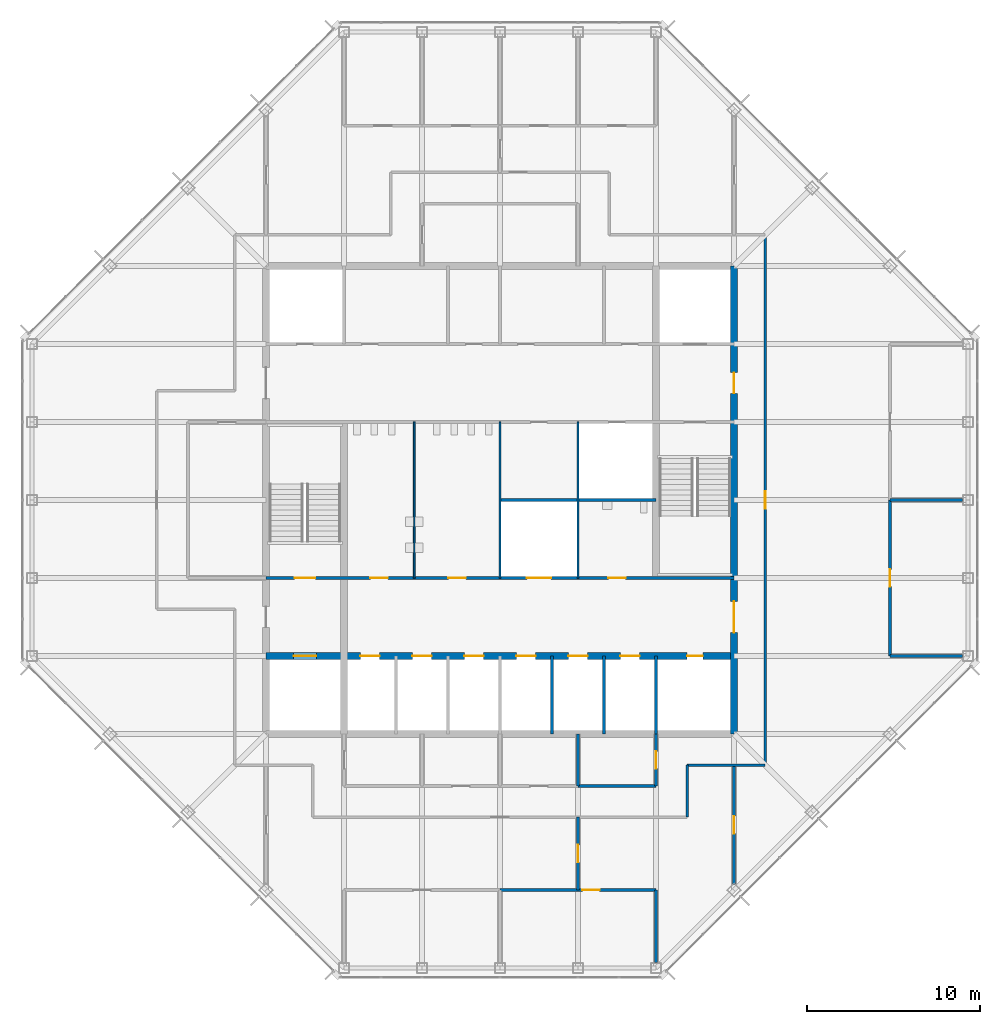
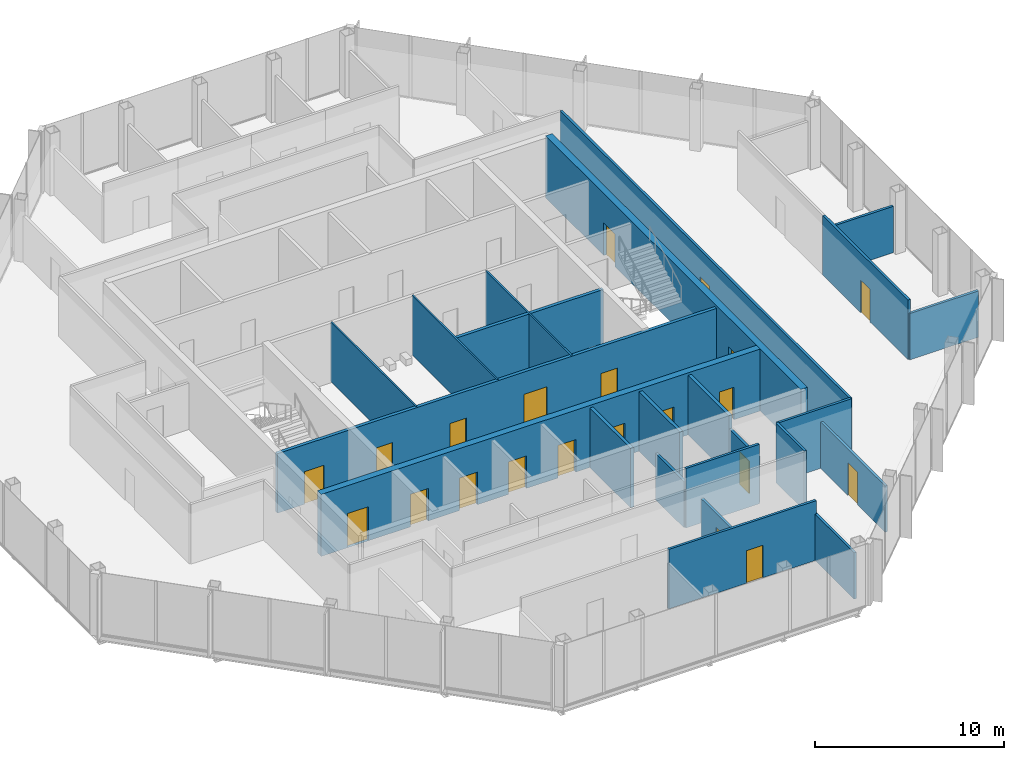
# One storey, part 10 of 14: 23 walls, 21 doors, 21 openings.
"""IFC4 building model written with IfcOpenShell, lengths in metres."""

from ifc_helpers import new_model, si_unit, direction, frame, frame_2d, origin, place, context, subcontext, project, spatial, rectangle, extrude, material, layer, layer_set, type_object, element, fill, save


model = new_model("IFC4")

# Units and contexts
model_context = context("Model", 3, precision=1e-05, world=origin(), true_north=direction((0.0, 1.0)))
body_context = subcontext(model_context, "Body", "Model", "MODEL_VIEW")
ifc_project = project(units=[si_unit("LENGTHUNIT", "METRE"), si_unit("AREAUNIT", "SQUARE_METRE"), si_unit("VOLUMEUNIT", "CUBIC_METRE"), si_unit("PLANEANGLEUNIT", "RADIAN"), si_unit("MASSUNIT", "GRAM", prefix="KILO")], contexts=[model_context])

# Site, building, storey
site_placement = place(None, origin())
site = spatial("IfcSite", under=ifc_project, at=site_placement, CompositionType="ELEMENT")
building_placement = place(site_placement, origin())
building = spatial("IfcBuilding", under=site, at=building_placement, Name="Corais Broadcast Tower", CompositionType="ELEMENT")
storey_placement = place(building_placement, frame((0.0, 0.0, 278.60009765625)))
storey = spatial("IfcBuildingStorey", under=building, at=storey_placement, Name="L65", CompositionType="ELEMENT", Elevation=278.60009765625)

# Wall
ifc_material_1 = material(Name="Concrete blockwork class A, grouted, two-hour", Category="masonry")
ifc_layer_1 = layer(ifc_material_1, 0.199951171875)
ifc_layer_set_1 = layer_set([ifc_layer_1], Name="Concrete blockwork class A, grouted, two-hour")
wall_type_1 = type_object("IfcWallType", Name="Core lobby wall 200", PredefinedType="SOLIDWALL", material=ifc_layer_set_1)
wall_1_placement = place(storey_placement, frame((36.0, 13.5, 0.0), z_axis=(0.0, 0.0, 1.0), x_axis=(0.0, 1.0, 0.0)))
element("IfcWall", 1, at=wall_1_placement, inside=storey, type_object=wall_type_1, Name="CL3 core shaft wall X36A L65", PredefinedType="SOLIDWALL", context=body_context, shape_type="SweptSolid", body=[
    extrude(rectangle(XDim=4.5, YDim=0.199951171875, at=frame_2d((2.25, 0.0))), origin(), (0.0, 0.0, 1.0), 3.83984375),
])

# Wall, openings, doors
wall_2_placement = place(storey_placement, frame((13.5, 22.5, 0.0), z_axis=(0.0, 0.0, 1.0), x_axis=(1.0, 0.0, 0.0)))
wall_2 = element("IfcWall", 2, at=wall_2_placement, inside=storey, type_object=wall_type_1, Name="CL3 core lobby wall Y225 L65", PredefinedType="SOLIDWALL", context=body_context, shape_type="SweptSolid", body=[
    extrude(rectangle(XDim=27.0, YDim=0.199951171875, at=frame_2d((13.5, 0.0))), origin(), (0.0, 0.0, 1.0), 3.83984375),
])
opening_1_placement = place(wall_2_placement, frame((1.64990234375, 0.0, 0.0)))
opening_1 = element("IfcOpeningElement", 3, at=opening_1_placement, cuts=wall_2, Name="Opening FD1", PredefinedType="OPENING", context=body_context, shape_type="SweptSolid", body=[
    extrude(rectangle(XDim=1.199951171875, YDim=2.10009765625, at=frame_2d((0.60009765625, 1.050048828125))), frame((0.0, 0.10986328125, 0.0), z_axis=(0.0, -1.0, 0.0), x_axis=(1.0, 0.0, 0.0)), (0.0, 0.0, 1.0), 0.219970703125),
])
opening_2_placement = place(wall_2_placement, frame((6.02490234375, 0.0, 0.0)))
opening_2 = element("IfcOpeningElement", 4, at=opening_2_placement, cuts=wall_2, Name="Opening WD1", PredefinedType="OPENING", context=body_context, shape_type="SweptSolid", body=[
    extrude(rectangle(XDim=1.0, YDim=2.10009765625, at=frame_2d((0.5, 1.050048828125))), frame((0.0, 0.10986328125, 0.0), z_axis=(0.0, -1.0, 0.0), x_axis=(1.0, 0.0, 0.0)), (0.0, 0.0, 1.0), 0.219970703125),
])
opening_3_placement = place(wall_2_placement, frame((10.52490234375, 0.0, 0.0)))
opening_3 = element("IfcOpeningElement", 5, at=opening_3_placement, cuts=wall_2, Name="Opening WD1", PredefinedType="OPENING", context=body_context, shape_type="SweptSolid", body=[
    extrude(rectangle(XDim=1.0, YDim=2.10009765625, at=frame_2d((0.5, 1.050048828125))), frame((0.0, 0.10986328125, 0.0), z_axis=(0.0, -1.0, 0.0), x_axis=(1.0, 0.0, 0.0)), (0.0, 0.0, 1.0), 0.219970703125),
])
opening_4_placement = place(wall_2_placement, frame((19.75, 0.0, 0.0)))
opening_4 = element("IfcOpeningElement", 6, at=opening_4_placement, cuts=wall_2, Name="Opening WD1", PredefinedType="OPENING", context=body_context, shape_type="SweptSolid", body=[
    extrude(rectangle(XDim=1.0, YDim=2.10009765625, at=frame_2d((0.5, 1.050048828125))), frame((0.0, 0.10986328125, 0.0), z_axis=(0.0, -1.0, 0.0), x_axis=(1.0, 0.0, 0.0)), (0.0, 0.0, 1.0), 0.219970703125),
])
opening_5_placement = place(wall_2_placement, frame((15.050048828125, 0.0, 0.0)))
opening_5 = element("IfcOpeningElement", 7, at=opening_5_placement, cuts=wall_2, Name="Opening LD3", PredefinedType="OPENING", context=body_context, shape_type="SweptSolid", body=[
    extrude(rectangle(XDim=1.39990234375, YDim=2.39990234375, at=frame_2d((0.699951171875, 1.199951171875))), frame((0.0, 0.10986328125, 0.0), z_axis=(0.0, -1.0, 0.0), x_axis=(1.0, 0.0, 0.0)), (0.0, 0.0, 1.0), 0.219970703125),
])
ifc_material_2 = material(Name="Steel fire door", Category="steel")
door_type_1 = type_object("IfcDoorType", Name="Fire door 1200x2100", OperationType="SINGLE_SWING_LEFT", PredefinedType="DOOR", material=ifc_material_2)
door_1_placement = place(opening_1_placement, origin())
door_1 = element("IfcDoor", 8, at=door_1_placement, inside=storey, type_object=door_type_1, Name="FD1 stair A door L65", OperationType="SINGLE_SWING_LEFT", OverallHeight=2.10009765625, OverallWidth=1.199951171875, PredefinedType="DOOR", context=body_context, shape_type="SweptSolid", body=[
    extrude(rectangle(XDim=1.199951171875, YDim=2.10009765625, at=frame_2d((0.60009765625, 1.050048828125))), frame((0.0, 0.02490234375, 0.0), z_axis=(0.0, -1.0, 0.0), x_axis=(1.0, 0.0, 0.0)), (0.0, 0.0, 1.0), 0.050048828125),
])
fill(opening_1, door_1)
ifc_material_3 = material(Name="Stainless steel lift door", Category="steel")
door_type_2 = type_object("IfcDoorType", Name="Service lift landing door 1400x2400", OperationType="SLIDING_TO_LEFT", PredefinedType="DOOR", material=ifc_material_3)
door_2_placement = place(opening_5_placement, origin())
door_2 = element("IfcDoor", 9, at=door_2_placement, inside=storey, type_object=door_type_2, Name="LD3 SL1 landing door L65", OperationType="SLIDING_TO_LEFT", OverallHeight=2.39990234375, OverallWidth=1.39990234375, PredefinedType="DOOR", context=body_context, shape_type="SweptSolid", body=[
    extrude(rectangle(XDim=1.39990234375, YDim=2.39990234375, at=frame_2d((0.699951171875, 1.199951171875))), frame((0.0, 0.02490234375, 0.0), z_axis=(0.0, -1.0, 0.0), x_axis=(1.0, 0.0, 0.0)), (0.0, 0.0, 1.0), 0.050048828125),
])
fill(opening_5, door_2)
ifc_material_4 = material(Name="Timber door", Category="wood")
door_type_3 = type_object("IfcDoorType", Name="Toilet door 1000x2100", OperationType="SINGLE_SWING_LEFT", PredefinedType="DOOR", material=ifc_material_4)
door_3_placement = place(opening_2_placement, origin())
door_3 = element("IfcDoor", 10, at=door_3_placement, inside=storey, type_object=door_type_3, Name="WD1 WC male door L65", OperationType="SINGLE_SWING_LEFT", OverallHeight=2.10009765625, OverallWidth=1.0, PredefinedType="DOOR", context=body_context, shape_type="SweptSolid", body=[
    extrude(rectangle(XDim=1.0, YDim=2.10009765625, at=frame_2d((0.5, 1.050048828125))), frame((0.0, 0.02490234375, 0.0), z_axis=(0.0, -1.0, 0.0), x_axis=(1.0, 0.0, 0.0)), (0.0, 0.0, 1.0), 0.050048828125),
])
fill(opening_2, door_3)
door_4_placement = place(opening_3_placement, origin())
door_4 = element("IfcDoor", 11, at=door_4_placement, inside=storey, type_object=door_type_3, Name="WD1 WC female door L65", OperationType="SINGLE_SWING_LEFT", OverallHeight=2.10009765625, OverallWidth=1.0, PredefinedType="DOOR", context=body_context, shape_type="SweptSolid", body=[
    extrude(rectangle(XDim=1.0, YDim=2.10009765625, at=frame_2d((0.5, 1.050048828125))), frame((0.0, 0.02490234375, 0.0), z_axis=(0.0, -1.0, 0.0), x_axis=(1.0, 0.0, 0.0)), (0.0, 0.0, 1.0), 0.050048828125),
])
fill(opening_3, door_4)
door_5_placement = place(opening_4_placement, origin())
door_5 = element("IfcDoor", 12, at=door_5_placement, inside=storey, type_object=door_type_3, Name="WD1 accessible WC door L65", OperationType="SINGLE_SWING_RIGHT", OverallHeight=2.10009765625, OverallWidth=1.0, PredefinedType="DOOR", context=body_context, shape_type="SweptSolid", body=[
    extrude(rectangle(XDim=1.0, YDim=2.10009765625, at=frame_2d((0.5, 1.050048828125))), frame((0.0, 0.02490234375, 0.0), z_axis=(0.0, -1.0, 0.0), x_axis=(1.0, 0.0, 0.0)), (0.0, 0.0, 1.0), 0.050048828125),
])
fill(opening_4, door_5)

ifc_material_5 = material(Name="Concrete C50/60", Category="concrete")
ifc_layer_2 = layer(ifc_material_5, 0.39990234375)
ifc_layer_set_2 = layer_set([ifc_layer_2], Name="Concrete C50/60")
wall_type_2 = type_object("IfcWallType", Name="Core wall 400", PredefinedType="SHEAR", material=ifc_layer_set_2)
wall_3_placement = place(storey_placement, frame((40.5, 13.5, 0.0), z_axis=(0.0, 0.0, 1.0), x_axis=(0.0, 1.0, 0.0)))
wall_3 = element("IfcWall", 13, at=wall_3_placement, inside=storey, type_object=wall_type_2, Name="CR400 core wall E L65", PredefinedType="SHEAR", context=body_context, shape_type="SweptSolid", body=[
    extrude(rectangle(XDim=27.0, YDim=0.39990234375, at=frame_2d((13.5, 0.0))), origin(), (0.0, 0.0, 1.0), 4.0),
])
opening_6_placement = place(wall_3_placement, frame((5.85009765625, 0.0, 0.0)))
opening_6 = element("IfcOpeningElement", 14, at=opening_6_placement, cuts=wall_3, Name="Opening FD2", PredefinedType="OPENING", context=body_context, shape_type="SweptSolid", body=[
    extrude(rectangle(XDim=1.800048828125, YDim=2.10009765625, at=frame_2d((0.89990234375, 1.050048828125))), frame((0.0, 0.2099609375, 0.0), z_axis=(0.0, -1.0, 0.0), x_axis=(1.0, 0.0, 0.0)), (0.0, 0.0, 1.0), 0.419921875),
])
opening_7_placement = place(wall_3_placement, frame((19.64990234375, 0.0, 0.0)))
opening_7 = element("IfcOpeningElement", 15, at=opening_7_placement, cuts=wall_3, Name="Opening FD1", PredefinedType="OPENING", context=body_context, shape_type="SweptSolid", body=[
    extrude(rectangle(XDim=1.199951171875, YDim=2.10009765625, at=frame_2d((0.60009765625, 1.050048828125))), frame((0.0, 0.2099609375, 0.0), z_axis=(0.0, -1.0, 0.0), x_axis=(1.0, 0.0, 0.0)), (0.0, 0.0, 1.0), 0.419921875),
])
door_6_placement = place(opening_7_placement, origin())
door_6 = element("IfcDoor", 16, at=door_6_placement, inside=storey, type_object=door_type_1, Name="FD1 fire lobby B door L65", OperationType="SINGLE_SWING_RIGHT", OverallHeight=2.10009765625, OverallWidth=1.199951171875, PredefinedType="DOOR", context=body_context, shape_type="SweptSolid", body=[
    extrude(rectangle(XDim=1.199951171875, YDim=2.10009765625, at=frame_2d((0.60009765625, 1.050048828125))), frame((0.0, 0.02490234375, 0.0), z_axis=(0.0, -1.0, 0.0), x_axis=(1.0, 0.0, 0.0)), (0.0, 0.0, 1.0), 0.050048828125),
])
fill(opening_7, door_6)
ifc_material_6 = material(Name="Steel fire door", Category="steel")
door_type_4 = type_object("IfcDoorType", Name="Fire door pair 1800x2100", OperationType="DOUBLE_DOOR_SINGLE_SWING", PredefinedType="DOOR", material=ifc_material_6)
door_7_placement = place(opening_6_placement, origin())
door_7 = element("IfcDoor", 17, at=door_7_placement, inside=storey, type_object=door_type_4, Name="FD2 lift lobby door L65", OperationType="SINGLE_SWING_LEFT", OverallHeight=2.10009765625, OverallWidth=1.800048828125, PredefinedType="DOOR", context=body_context, shape_type="SweptSolid", body=[
    extrude(rectangle(XDim=1.800048828125, YDim=2.10009765625, at=frame_2d((0.89990234375, 1.050048828125))), frame((0.0, 0.02490234375, 0.0), z_axis=(0.0, -1.0, 0.0), x_axis=(1.0, 0.0, 0.0)), (0.0, 0.0, 1.0), 0.050048828125),
])
fill(opening_6, door_7)

wall_4_placement = place(storey_placement, frame((13.5, 18.0, 0.0), z_axis=(0.0, 0.0, 1.0), x_axis=(1.0, 0.0, 0.0)))
wall_4 = element("IfcWall", 18, at=wall_4_placement, inside=storey, type_object=wall_type_2, Name="CR400 core wall Y18 L65", PredefinedType="SHEAR", context=body_context, shape_type="SweptSolid", body=[
    extrude(rectangle(XDim=27.0, YDim=0.39990234375, at=frame_2d((13.5, 0.0))), origin(), (0.0, 0.0, 1.0), 4.0),
])
opening_8_placement = place(wall_4_placement, frame((24.300048828125, 0.0, 0.0)))
opening_8 = element("IfcOpeningElement", 19, at=opening_8_placement, cuts=wall_4, Name="Opening RD1", PredefinedType="OPENING", context=body_context, shape_type="SweptSolid", body=[
    extrude(rectangle(XDim=0.89990234375, YDim=2.10009765625, at=frame_2d((0.449951171875, 1.050048828125))), frame((0.0, 0.2099609375, 0.0), z_axis=(0.0, -1.0, 0.0), x_axis=(1.0, 0.0, 0.0)), (0.0, 0.0, 1.0), 0.419921875),
])
opening_9_placement = place(wall_4_placement, frame((5.449951171875, 0.0, 0.0)))
opening_9 = element("IfcOpeningElement", 20, at=opening_9_placement, cuts=wall_4, Name="Opening LD1", PredefinedType="OPENING", context=body_context, shape_type="SweptSolid", body=[
    extrude(rectangle(XDim=1.10009765625, YDim=2.10009765625, at=frame_2d((0.550048828125, 1.050048828125))), frame((0.0, 0.2099609375, 0.0), z_axis=(0.0, -1.0, 0.0), x_axis=(1.0, 0.0, 0.0)), (0.0, 0.0, 1.0), 0.419921875),
])
opening_10_placement = place(wall_4_placement, frame((8.449951171875, 0.0, 0.0)))
opening_10 = element("IfcOpeningElement", 21, at=opening_10_placement, cuts=wall_4, Name="Opening LD1", PredefinedType="OPENING", context=body_context, shape_type="SweptSolid", body=[
    extrude(rectangle(XDim=1.10009765625, YDim=2.10009765625, at=frame_2d((0.550048828125, 1.050048828125))), frame((0.0, 0.2099609375, 0.0), z_axis=(0.0, -1.0, 0.0), x_axis=(1.0, 0.0, 0.0)), (0.0, 0.0, 1.0), 0.419921875),
])
opening_11_placement = place(wall_4_placement, frame((11.449951171875, 0.0, 0.0)))
opening_11 = element("IfcOpeningElement", 22, at=opening_11_placement, cuts=wall_4, Name="Opening LD1", PredefinedType="OPENING", context=body_context, shape_type="SweptSolid", body=[
    extrude(rectangle(XDim=1.10009765625, YDim=2.10009765625, at=frame_2d((0.550048828125, 1.050048828125))), frame((0.0, 0.2099609375, 0.0), z_axis=(0.0, -1.0, 0.0), x_axis=(1.0, 0.0, 0.0)), (0.0, 0.0, 1.0), 0.419921875),
])
opening_12_placement = place(wall_4_placement, frame((14.449951171875, 0.0, 0.0)))
opening_12 = element("IfcOpeningElement", 23, at=opening_12_placement, cuts=wall_4, Name="Opening LD1", PredefinedType="OPENING", context=body_context, shape_type="SweptSolid", body=[
    extrude(rectangle(XDim=1.10009765625, YDim=2.10009765625, at=frame_2d((0.550048828125, 1.050048828125))), frame((0.0, 0.2099609375, 0.0), z_axis=(0.0, -1.0, 0.0), x_axis=(1.0, 0.0, 0.0)), (0.0, 0.0, 1.0), 0.419921875),
])
opening_13_placement = place(wall_4_placement, frame((17.449951171875, 0.0, 0.0)))
opening_13 = element("IfcOpeningElement", 24, at=opening_13_placement, cuts=wall_4, Name="Opening LD1", PredefinedType="OPENING", context=body_context, shape_type="SweptSolid", body=[
    extrude(rectangle(XDim=1.10009765625, YDim=2.10009765625, at=frame_2d((0.550048828125, 1.050048828125))), frame((0.0, 0.2099609375, 0.0), z_axis=(0.0, -1.0, 0.0), x_axis=(1.0, 0.0, 0.0)), (0.0, 0.0, 1.0), 0.419921875),
])
opening_14_placement = place(wall_4_placement, frame((20.449951171875, 0.0, 0.0)))
opening_14 = element("IfcOpeningElement", 25, at=opening_14_placement, cuts=wall_4, Name="Opening LD1", PredefinedType="OPENING", context=body_context, shape_type="SweptSolid", body=[
    extrude(rectangle(XDim=1.10009765625, YDim=2.10009765625, at=frame_2d((0.550048828125, 1.050048828125))), frame((0.0, 0.2099609375, 0.0), z_axis=(0.0, -1.0, 0.0), x_axis=(1.0, 0.0, 0.0)), (0.0, 0.0, 1.0), 0.419921875),
])
opening_15_placement = place(wall_4_placement, frame((1.60009765625, 0.0, 0.0)))
opening_15 = element("IfcOpeningElement", 26, at=opening_15_placement, cuts=wall_4, Name="Opening LD2", PredefinedType="OPENING", context=body_context, shape_type="SweptSolid", body=[
    extrude(rectangle(XDim=1.300048828125, YDim=2.199951171875, at=frame_2d((0.64990234375, 1.10009765625))), frame((0.0, 0.2099609375, 0.0), z_axis=(0.0, -1.0, 0.0), x_axis=(1.0, 0.0, 0.0)), (0.0, 0.0, 1.0), 0.419921875),
])
ifc_material_7 = material(Name="Stainless steel lift door", Category="steel")
door_type_5 = type_object("IfcDoorType", Name="Lift landing door 1100x2100", OperationType="SLIDING_TO_LEFT", PredefinedType="DOOR", material=ifc_material_7)
door_8_placement = place(opening_9_placement, origin())
door_8 = element("IfcDoor", 27, at=door_8_placement, inside=storey, type_object=door_type_5, Name="LD1 PH1 landing door L65", OperationType="SLIDING_TO_LEFT", OverallHeight=2.10009765625, OverallWidth=1.10009765625, PredefinedType="DOOR", context=body_context, shape_type="SweptSolid", body=[
    extrude(rectangle(XDim=1.10009765625, YDim=2.10009765625, at=frame_2d((0.550048828125, 1.050048828125))), frame((0.0, 0.02490234375, 0.0), z_axis=(0.0, -1.0, 0.0), x_axis=(1.0, 0.0, 0.0)), (0.0, 0.0, 1.0), 0.050048828125),
])
fill(opening_9, door_8)
door_9_placement = place(opening_10_placement, origin())
door_9 = element("IfcDoor", 28, at=door_9_placement, inside=storey, type_object=door_type_5, Name="LD1 PH2 landing door L65", OperationType="SLIDING_TO_LEFT", OverallHeight=2.10009765625, OverallWidth=1.10009765625, PredefinedType="DOOR", context=body_context, shape_type="SweptSolid", body=[
    extrude(rectangle(XDim=1.10009765625, YDim=2.10009765625, at=frame_2d((0.550048828125, 1.050048828125))), frame((0.0, 0.02490234375, 0.0), z_axis=(0.0, -1.0, 0.0), x_axis=(1.0, 0.0, 0.0)), (0.0, 0.0, 1.0), 0.050048828125),
])
fill(opening_10, door_9)
door_10_placement = place(opening_11_placement, origin())
door_10 = element("IfcDoor", 29, at=door_10_placement, inside=storey, type_object=door_type_5, Name="LD1 PH3 landing door L65", OperationType="SLIDING_TO_LEFT", OverallHeight=2.10009765625, OverallWidth=1.10009765625, PredefinedType="DOOR", context=body_context, shape_type="SweptSolid", body=[
    extrude(rectangle(XDim=1.10009765625, YDim=2.10009765625, at=frame_2d((0.550048828125, 1.050048828125))), frame((0.0, 0.02490234375, 0.0), z_axis=(0.0, -1.0, 0.0), x_axis=(1.0, 0.0, 0.0)), (0.0, 0.0, 1.0), 0.050048828125),
])
fill(opening_11, door_10)
door_11_placement = place(opening_12_placement, origin())
door_11 = element("IfcDoor", 30, at=door_11_placement, inside=storey, type_object=door_type_5, Name="LD1 PH4 landing door L65", OperationType="SLIDING_TO_LEFT", OverallHeight=2.10009765625, OverallWidth=1.10009765625, PredefinedType="DOOR", context=body_context, shape_type="SweptSolid", body=[
    extrude(rectangle(XDim=1.10009765625, YDim=2.10009765625, at=frame_2d((0.550048828125, 1.050048828125))), frame((0.0, 0.02490234375, 0.0), z_axis=(0.0, -1.0, 0.0), x_axis=(1.0, 0.0, 0.0)), (0.0, 0.0, 1.0), 0.050048828125),
])
fill(opening_12, door_11)
door_12_placement = place(opening_13_placement, origin())
door_12 = element("IfcDoor", 31, at=door_12_placement, inside=storey, type_object=door_type_5, Name="LD1 PH5 landing door L65", OperationType="SLIDING_TO_LEFT", OverallHeight=2.10009765625, OverallWidth=1.10009765625, PredefinedType="DOOR", context=body_context, shape_type="SweptSolid", body=[
    extrude(rectangle(XDim=1.10009765625, YDim=2.10009765625, at=frame_2d((0.550048828125, 1.050048828125))), frame((0.0, 0.02490234375, 0.0), z_axis=(0.0, -1.0, 0.0), x_axis=(1.0, 0.0, 0.0)), (0.0, 0.0, 1.0), 0.050048828125),
])
fill(opening_13, door_12)
door_13_placement = place(opening_14_placement, origin())
door_13 = element("IfcDoor", 32, at=door_13_placement, inside=storey, type_object=door_type_5, Name="LD1 PH6 landing door L65", OperationType="SLIDING_TO_LEFT", OverallHeight=2.10009765625, OverallWidth=1.10009765625, PredefinedType="DOOR", context=body_context, shape_type="SweptSolid", body=[
    extrude(rectangle(XDim=1.10009765625, YDim=2.10009765625, at=frame_2d((0.550048828125, 1.050048828125))), frame((0.0, 0.02490234375, 0.0), z_axis=(0.0, -1.0, 0.0), x_axis=(1.0, 0.0, 0.0)), (0.0, 0.0, 1.0), 0.050048828125),
])
fill(opening_14, door_13)
ifc_material_8 = material(Name="Stainless steel lift door", Category="steel")
door_type_6 = type_object("IfcDoorType", Name="Lift landing door 1300x2200", OperationType="SLIDING_TO_LEFT", PredefinedType="DOOR", material=ifc_material_8)
door_14_placement = place(opening_15_placement, origin())
door_14 = element("IfcDoor", 33, at=door_14_placement, inside=storey, type_object=door_type_6, Name="LD2 FL1 landing door L65", OperationType="SLIDING_TO_LEFT", OverallHeight=2.199951171875, OverallWidth=1.300048828125, PredefinedType="DOOR", context=body_context, shape_type="SweptSolid", body=[
    extrude(rectangle(XDim=1.300048828125, YDim=2.199951171875, at=frame_2d((0.64990234375, 1.10009765625))), frame((0.0, 0.02490234375, 0.0), z_axis=(0.0, -1.0, 0.0), x_axis=(1.0, 0.0, 0.0)), (0.0, 0.0, 1.0), 0.050048828125),
])
fill(opening_15, door_14)
ifc_material_9 = material(Name="Steel fire door", Category="steel")
door_type_7 = type_object("IfcDoorType", Name="Riser door 900x2100", OperationType="SINGLE_SWING_LEFT", PredefinedType="DOOR", material=ifc_material_9)
door_15_placement = place(opening_8_placement, origin())
door_15 = element("IfcDoor", 34, at=door_15_placement, inside=storey, type_object=door_type_7, Name="RD1 riser door L65", OperationType="SINGLE_SWING_RIGHT", OverallHeight=2.10009765625, OverallWidth=0.89990234375, PredefinedType="DOOR", context=body_context, shape_type="SweptSolid", body=[
    extrude(rectangle(XDim=0.89990234375, YDim=2.10009765625, at=frame_2d((0.449951171875, 1.050048828125))), frame((0.0, 0.02490234375, 0.0), z_axis=(0.0, -1.0, 0.0), x_axis=(1.0, 0.0, 0.0)), (0.0, 0.0, 1.0), 0.050048828125),
])
fill(opening_8, door_15)

# Wall, opening, door
ifc_material_10 = material(Name="Gypsum board on steel studs", Category="steel")
ifc_layer_3 = layer(ifc_material_10, 0.14990234375)
ifc_layer_set_3 = layer_set([ifc_layer_3], Name="Gypsum board on steel studs")
wall_type_3 = type_object("IfcWallType", Name="Partition 150", PredefinedType="PARTITIONING", material=ifc_layer_set_3)
wall_5_placement = place(storey_placement, frame((42.300048828125, 11.699951171875, 0.0), z_axis=(0.0, 0.0, 1.0), x_axis=(0.0, 1.0, 0.0)))
wall_5 = element("IfcWall", 35, at=wall_5_placement, inside=storey, type_object=wall_type_3, Name="IW3 corridor wall L65", PredefinedType="PARTITIONING", context=body_context, shape_type="SweptSolid", body=[
    extrude(rectangle(XDim=30.60009765625, YDim=0.14990234375, at=frame_2d((15.300048828125, 0.0))), origin(), (0.0, 0.0, 1.0), 3.83984375),
])
opening_16_placement = place(wall_5_placement, frame((14.800048828125, 0.0, 0.0)))
opening_16 = element("IfcOpeningElement", 36, at=opening_16_placement, cuts=wall_5, Name="Opening D1", PredefinedType="OPENING", context=body_context, shape_type="SweptSolid", body=[
    extrude(rectangle(XDim=1.0, YDim=2.10009765625, at=frame_2d((0.5, 1.050048828125))), frame((0.0, 0.0849609375, 0.0), z_axis=(0.0, -1.0, 0.0), x_axis=(1.0, 0.0, 0.0)), (0.0, 0.0, 1.0), 0.169921875),
])
ifc_material_11 = material(Name="Timber door", Category="wood")
door_type_8 = type_object("IfcDoorType", Name="Single door 1000x2100", OperationType="SINGLE_SWING_LEFT", PredefinedType="DOOR", material=ifc_material_11)
door_16_placement = place(opening_16_placement, origin())
door_16 = element("IfcDoor", 37, at=door_16_placement, inside=storey, type_object=door_type_8, Name="D1 workplace door L65", OperationType="SINGLE_SWING_LEFT", OverallHeight=2.10009765625, OverallWidth=1.0, PredefinedType="DOOR", context=body_context, shape_type="SweptSolid", body=[
    extrude(rectangle(XDim=1.0, YDim=2.10009765625, at=frame_2d((0.5, 1.050048828125))), frame((0.0, 0.02490234375, 0.0), z_axis=(0.0, -1.0, 0.0), x_axis=(1.0, 0.0, 0.0)), (0.0, 0.0, 1.0), 0.050048828125),
])
fill(opening_16, door_16)

# Walls
wall_6_placement = place(storey_placement, frame((37.800048828125, 11.699951171875, 0.0), z_axis=(0.0, 0.0, 1.0), x_axis=(1.0, 0.0, 0.0)))
element("IfcWall", 38, at=wall_6_placement, inside=storey, type_object=wall_type_3, Name="IW3 corridor wall L65", PredefinedType="PARTITIONING", context=body_context, shape_type="SweptSolid", body=[
    extrude(rectangle(XDim=4.5, YDim=0.14990234375, at=frame_2d((2.25, 0.0))), origin(), (0.0, 0.0, 1.0), 3.83984375),
])
wall_7_placement = place(storey_placement, frame((37.800048828125, 8.699951171875, 0.0), z_axis=(0.0, 0.0, 1.0), x_axis=(0.0, 1.0, 0.0)))
element("IfcWall", 39, at=wall_7_placement, inside=storey, type_object=wall_type_3, Name="IW3 corridor wall L65", PredefinedType="PARTITIONING", context=body_context, shape_type="SweptSolid", body=[
    extrude(rectangle(XDim=3.0, YDim=0.14990234375, at=frame_2d((1.5, 0.0))), origin(), (0.0, 0.0, 1.0), 3.83984375),
])
wall_8_placement = place(storey_placement, frame((36.0, 0.31005859375, 0.0), z_axis=(0.0, 0.0, 1.0), x_axis=(0.0, 1.0, 0.0)))
element("IfcWall", 40, at=wall_8_placement, inside=storey, type_object=wall_type_3, Name="IW3 partition L65", PredefinedType="PARTITIONING", context=body_context, shape_type="SweptSolid", body=[
    extrude(rectangle(XDim=4.18994140625, YDim=0.14990234375, at=frame_2d((2.094970703125, 0.0))), origin(), (0.0, 0.0, 1.0), 2.989013671875),
])

# Wall, opening, door
wall_9_placement = place(storey_placement, frame((36.0, 4.5, 0.0), z_axis=(0.0, 0.0, 1.0), x_axis=(-1.0, 0.0, 0.0)))
wall_9 = element("IfcWall", 41, at=wall_9_placement, inside=storey, type_object=wall_type_3, Name="IW3 partition L65", PredefinedType="PARTITIONING", context=body_context, shape_type="SweptSolid", body=[
    extrude(rectangle(XDim=9.0, YDim=0.14990234375, at=frame_2d((4.5, 0.0))), origin(), (0.0, 0.0, 1.0), 3.83984375),
])
opening_17_placement = place(wall_9_placement, frame((3.25, 0.0, 0.0)))
opening_17 = element("IfcOpeningElement", 42, at=opening_17_placement, cuts=wall_9, Name="Opening D1", PredefinedType="OPENING", context=body_context, shape_type="SweptSolid", body=[
    extrude(rectangle(XDim=1.0, YDim=2.10009765625, at=frame_2d((0.5, 1.050048828125))), frame((0.0, 0.0849609375, 0.0), z_axis=(0.0, -1.0, 0.0), x_axis=(1.0, 0.0, 0.0)), (0.0, 0.0, 1.0), 0.169921875),
])
door_17_placement = place(opening_17_placement, origin())
door_17 = element("IfcDoor", 43, at=door_17_placement, inside=storey, type_object=door_type_8, Name="D1 Director office door", OperationType="SINGLE_SWING_LEFT", OverallHeight=2.10009765625, OverallWidth=1.0, PredefinedType="DOOR", context=body_context, shape_type="SweptSolid", body=[
    extrude(rectangle(XDim=1.0, YDim=2.10009765625, at=frame_2d((0.5, 1.050048828125))), frame((0.0, 0.02490234375, 0.0), z_axis=(0.0, -1.0, 0.0), x_axis=(1.0, 0.0, 0.0)), (0.0, 0.0, 1.0), 0.050048828125),
])
fill(opening_17, door_17)

# Walls
for number, where, z_axis, x_axis, name in (
    (44, (49.5, 18.0, 0.0), (0.0, 0.0, 1.0), (1.0, 0.0, 0.0), "IW3 partition L65"),
    (45, (53.68994140625, 27.0, 0.0), (0.0, 0.0, 1.0), (-1.0, 0.0, 0.0), "IW3 partition L65"),
):
    element("IfcWall", number, at=place(storey_placement, frame(where, z_axis=z_axis, x_axis=x_axis)), inside=storey, type_object=wall_type_3, Name=name, PredefinedType="PARTITIONING", context=body_context, shape_type="SweptSolid", body=[
        extrude(rectangle(XDim=4.18994140625, YDim=0.14990234375, at=frame_2d((2.094970703125, 0.0))), origin(), (0.0, 0.0, 1.0), 2.989013671875),
    ])

# Wall, opening, door
wall_10_placement = place(storey_placement, frame((49.5, 27.0, 0.0), z_axis=(0.0, 0.0, 1.0), x_axis=(0.0, -1.0, 0.0)))
wall_10 = element("IfcWall", 46, at=wall_10_placement, inside=storey, type_object=wall_type_3, Name="IW3 partition L65", PredefinedType="PARTITIONING", context=body_context, shape_type="SweptSolid", body=[
    extrude(rectangle(XDim=9.0, YDim=0.14990234375, at=frame_2d((4.5, 0.0))), origin(), (0.0, 0.0, 1.0), 3.83984375),
])
opening_18_placement = place(wall_10_placement, frame((4.0, 0.0, 0.0)))
opening_18 = element("IfcOpeningElement", 47, at=opening_18_placement, cuts=wall_10, Name="Opening D1", PredefinedType="OPENING", context=body_context, shape_type="SweptSolid", body=[
    extrude(rectangle(XDim=1.0, YDim=2.10009765625, at=frame_2d((0.5, 1.050048828125))), frame((0.0, 0.0849609375, 0.0), z_axis=(0.0, -1.0, 0.0), x_axis=(1.0, 0.0, 0.0)), (0.0, 0.0, 1.0), 0.169921875),
])
door_18_placement = place(opening_18_placement, origin())
door_18 = element("IfcDoor", 48, at=door_18_placement, inside=storey, type_object=door_type_8, Name="D1 Director office door", OperationType="SINGLE_SWING_LEFT", OverallHeight=2.10009765625, OverallWidth=1.0, PredefinedType="DOOR", context=body_context, shape_type="SweptSolid", body=[
    extrude(rectangle(XDim=1.0, YDim=2.10009765625, at=frame_2d((0.5, 1.050048828125))), frame((0.0, 0.02490234375, 0.0), z_axis=(0.0, -1.0, 0.0), x_axis=(1.0, 0.0, 0.0)), (0.0, 0.0, 1.0), 0.050048828125),
])
fill(opening_18, door_18)

# Walls
wall_11_placement = place(storey_placement, frame((31.5, 10.5, 0.0), z_axis=(0.0, 0.0, 1.0), x_axis=(0.0, 1.0, 0.0)))
element("IfcWall", 49, at=wall_11_placement, inside=storey, type_object=wall_type_3, Name="IW3 partition L65", PredefinedType="PARTITIONING", context=body_context, shape_type="SweptSolid", body=[
    extrude(rectangle(XDim=3.0, YDim=0.14990234375, at=frame_2d((1.5, 0.0))), origin(), (0.0, 0.0, 1.0), 2.989013671875),
])
wall_12_placement = place(storey_placement, frame((31.5, 10.5, 0.0), z_axis=(0.0, 0.0, 1.0), x_axis=(1.0, 0.0, 0.0)))
element("IfcWall", 50, at=wall_12_placement, inside=storey, type_object=wall_type_3, Name="IW3 partition L65", PredefinedType="PARTITIONING", context=body_context, shape_type="SweptSolid", body=[
    extrude(rectangle(XDim=4.5, YDim=0.14990234375, at=frame_2d((2.25, 0.0))), origin(), (0.0, 0.0, 1.0), 3.83984375),
])

# Wall, opening, door
wall_13_placement = place(storey_placement, frame((36.0, 10.5, 0.0), z_axis=(0.0, 0.0, 1.0), x_axis=(0.0, 1.0, 0.0)))
wall_13 = element("IfcWall", 51, at=wall_13_placement, inside=storey, type_object=wall_type_3, Name="IW3 partition L65", PredefinedType="PARTITIONING", context=body_context, shape_type="SweptSolid", body=[
    extrude(rectangle(XDim=3.0, YDim=0.14990234375, at=frame_2d((1.5, 0.0))), origin(), (0.0, 0.0, 1.0), 2.989013671875),
])
opening_19_placement = place(wall_13_placement, frame((1.0, 0.0, 0.0)))
opening_19 = element("IfcOpeningElement", 52, at=opening_19_placement, cuts=wall_13, Name="Opening D1", PredefinedType="OPENING", context=body_context, shape_type="SweptSolid", body=[
    extrude(rectangle(XDim=1.0, YDim=2.10009765625, at=frame_2d((0.5, 1.050048828125))), frame((0.0, 0.0849609375, 0.0), z_axis=(0.0, -1.0, 0.0), x_axis=(1.0, 0.0, 0.0)), (0.0, 0.0, 1.0), 0.169921875),
])
door_19_placement = place(opening_19_placement, origin())
door_19 = element("IfcDoor", 53, at=door_19_placement, inside=storey, type_object=door_type_8, Name="D1 Quiet room door", OperationType="SINGLE_SWING_LEFT", OverallHeight=2.10009765625, OverallWidth=1.0, PredefinedType="DOOR", context=body_context, shape_type="SweptSolid", body=[
    extrude(rectangle(XDim=1.0, YDim=2.10009765625, at=frame_2d((0.5, 1.050048828125))), frame((0.0, 0.02490234375, 0.0), z_axis=(0.0, -1.0, 0.0), x_axis=(1.0, 0.0, 0.0)), (0.0, 0.0, 1.0), 0.050048828125),
])
fill(opening_19, door_19)

wall_14_placement = place(storey_placement, frame((40.5, 4.820068359375, 0.0), z_axis=(0.0, 0.0, 1.0), x_axis=(0.0, 1.0, 0.0)))
wall_14 = element("IfcWall", 54, at=wall_14_placement, inside=storey, type_object=wall_type_3, Name="IW3 partition L65", PredefinedType="PARTITIONING", context=body_context, shape_type="SweptSolid", body=[
    extrude(rectangle(XDim=6.8798828125, YDim=0.14990234375, at=frame_2d((3.43994140625, 0.0))), origin(), (0.0, 0.0, 1.0), 2.989013671875),
])
opening_20_placement = place(wall_14_placement, frame((2.93994140625, 0.0, 0.0)))
opening_20 = element("IfcOpeningElement", 55, at=opening_20_placement, cuts=wall_14, Name="Opening D1", PredefinedType="OPENING", context=body_context, shape_type="SweptSolid", body=[
    extrude(rectangle(XDim=1.0, YDim=2.10009765625, at=frame_2d((0.5, 1.050048828125))), frame((0.0, 0.0849609375, 0.0), z_axis=(0.0, -1.0, 0.0), x_axis=(1.0, 0.0, 0.0)), (0.0, 0.0, 1.0), 0.169921875),
])
door_20_placement = place(opening_20_placement, origin())
door_20 = element("IfcDoor", 56, at=door_20_placement, inside=storey, type_object=door_type_8, Name="D1 team room door L65", OperationType="SINGLE_SWING_LEFT", OverallHeight=2.10009765625, OverallWidth=1.0, PredefinedType="DOOR", context=body_context, shape_type="SweptSolid", body=[
    extrude(rectangle(XDim=1.0, YDim=2.10009765625, at=frame_2d((0.5, 1.050048828125))), frame((0.0, 0.02490234375, 0.0), z_axis=(0.0, -1.0, 0.0), x_axis=(1.0, 0.0, 0.0)), (0.0, 0.0, 1.0), 0.050048828125),
])
fill(opening_20, door_20)

wall_15_placement = place(storey_placement, frame((31.5, 8.699951171875, 0.0), z_axis=(0.0, 0.0, 1.0), x_axis=(0.0, -1.0, 0.0)))
wall_15 = element("IfcWall", 57, at=wall_15_placement, inside=storey, type_object=wall_type_3, Name="IW3 partition L65", PredefinedType="PARTITIONING", context=body_context, shape_type="SweptSolid", body=[
    extrude(rectangle(XDim=4.199951171875, YDim=0.14990234375, at=frame_2d((2.10009765625, 0.0))), origin(), (0.0, 0.0, 1.0), 2.989013671875),
])
opening_21_placement = place(wall_15_placement, frame((1.60009765625, 0.0, 0.0)))
opening_21 = element("IfcOpeningElement", 58, at=opening_21_placement, cuts=wall_15, Name="Opening D1", PredefinedType="OPENING", context=body_context, shape_type="SweptSolid", body=[
    extrude(rectangle(XDim=1.0, YDim=2.10009765625, at=frame_2d((0.5, 1.050048828125))), frame((0.0, 0.0849609375, 0.0), z_axis=(0.0, -1.0, 0.0), x_axis=(1.0, 0.0, 0.0)), (0.0, 0.0, 1.0), 0.169921875),
])
door_21_placement = place(opening_21_placement, origin())
door_21 = element("IfcDoor", 59, at=door_21_placement, inside=storey, type_object=door_type_8, Name="D1 team room door L65", OperationType="SINGLE_SWING_LEFT", OverallHeight=2.10009765625, OverallWidth=1.0, PredefinedType="DOOR", context=body_context, shape_type="SweptSolid", body=[
    extrude(rectangle(XDim=1.0, YDim=2.10009765625, at=frame_2d((0.5, 1.050048828125))), frame((0.0, 0.02490234375, 0.0), z_axis=(0.0, -1.0, 0.0), x_axis=(1.0, 0.0, 0.0)), (0.0, 0.0, 1.0), 0.050048828125),
])
fill(opening_21, door_21)

# Walls
ifc_material_12 = material(Name="Concrete blockwork class A, grouted, two-hour", Category="masonry")
ifc_layer_4 = layer(ifc_material_12, 0.199951171875)
ifc_layer_set_4 = layer_set([ifc_layer_4], Name="Concrete blockwork class A, grouted, two-hour")
wall_type_4 = type_object("IfcWallType", Name="Shaft wall 200", PredefinedType="PARTITIONING", material=ifc_layer_set_4)
for number, where, z_axis, x_axis, name in (
    (60, (30.0, 13.5, 0.0), (0.0, 0.0, 1.0), (0.0, 1.0, 0.0), "IW1 shaft wall L65"),
    (61, (33.0, 13.5, 0.0), (0.0, 0.0, 1.0), (0.0, 1.0, 0.0), "IW1 shaft wall L65"),
):
    element("IfcWall", number, at=place(storey_placement, frame(where, z_axis=z_axis, x_axis=x_axis)), inside=storey, type_object=wall_type_4, Name=name, PredefinedType="PARTITIONING", context=body_context, shape_type="SweptSolid", body=[
        extrude(rectangle(XDim=4.5, YDim=0.199951171875, at=frame_2d((2.25, 0.0))), origin(), (0.0, 0.0, 1.0), 3.83984375),
    ])
wall_16_placement = place(storey_placement, frame((27.0, 27.0, 0.0), z_axis=(0.0, 0.0, 1.0), x_axis=(1.0, 0.0, 0.0)))
element("IfcWall", 62, at=wall_16_placement, inside=storey, type_object=wall_type_4, Name="IW1 shaft wall L65", PredefinedType="PARTITIONING", context=body_context, shape_type="SweptSolid", body=[
    extrude(rectangle(XDim=9.0, YDim=0.199951171875, at=frame_2d((4.5, 0.0))), origin(), (0.0, 0.0, 1.0), 3.83984375),
])
ifc_material_13 = material(Name="Dense concrete blockwork class A, tiled both faces", Category="masonry")
ifc_layer_5 = layer(ifc_material_13, 0.10009765625)
ifc_layer_set_5 = layer_set([ifc_layer_5], Name="Dense concrete blockwork class A, tiled both faces")
wall_type_5 = type_object("IfcWallType", Name="Toilet wall 100", PredefinedType="PLUMBINGWALL", material=ifc_layer_set_5)
for number, where, z_axis, x_axis, name in (
    (63, (22.050048828125, 22.5, 0.0), (0.0, 0.0, 1.0), (0.0, 1.0, 0.0), "IW2 toilet wall L65"),
    (64, (27.0, 22.5, 0.0), (0.0, 0.0, 1.0), (0.0, 1.0, 0.0), "IW2 toilet wall L65"),
    (65, (31.5, 22.5, 0.0), (0.0, 0.0, 1.0), (0.0, 1.0, 0.0), "IW2 toilet wall L65"),
):
    element("IfcWall", number, at=place(storey_placement, frame(where, z_axis=z_axis, x_axis=x_axis)), inside=storey, type_object=wall_type_5, Name=name, PredefinedType="PLUMBINGWALL", context=body_context, shape_type="SweptSolid", body=[
        extrude(rectangle(XDim=9.0, YDim=0.10009765625, at=frame_2d((4.5, 0.0))), origin(), (0.0, 0.0, 1.0), 3.83984375),
    ])

save(model, "model.ifc")
